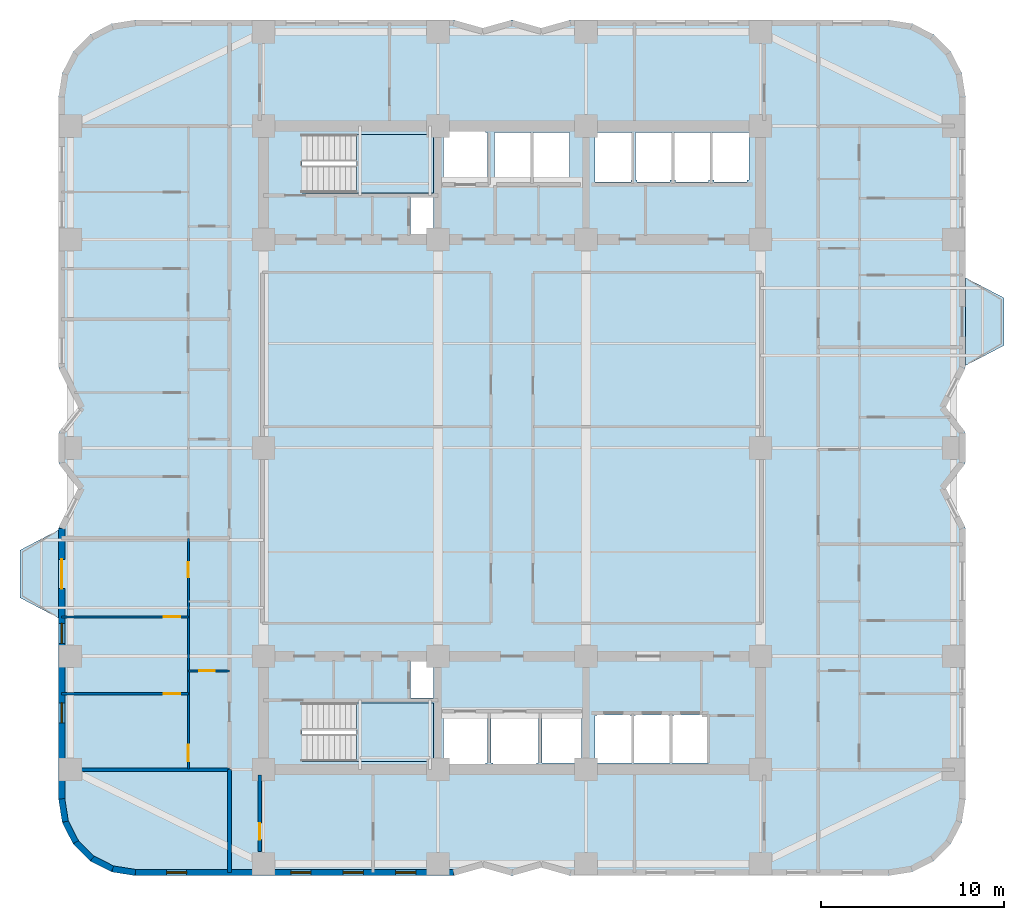
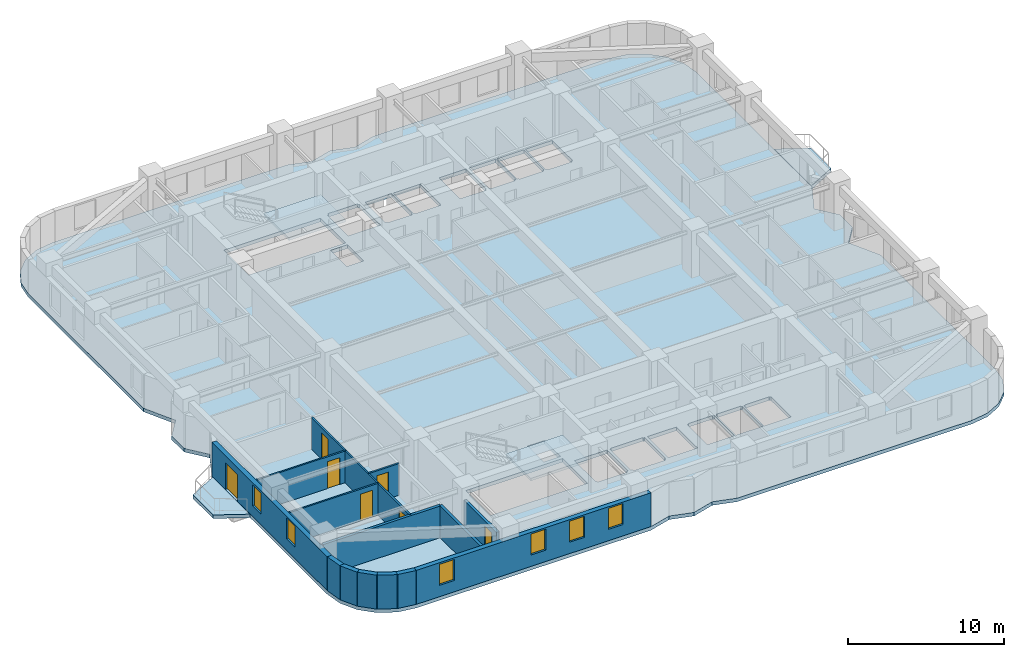
# One storey, part 2 of 10: 14 walls, 7 doors, 6 windows, 5 slabs, 13 openings, 2 elements without a shape of their own.
"""IFC4 building model written with IfcOpenShell, lengths in metres."""

from ifc_helpers import new_model, si_unit, direction, frame, frame_2d, origin, place, context, subcontext, project, spatial, polyline, rectangle, outline, extrude, material, layer, layer_set, type_object, element, fill, aggregate, save


model = new_model("IFC4")

# Units and contexts
model_context = context("Model", 3, precision=1e-05, world=origin(), true_north=direction((0.0, 1.0)))
body_context = subcontext(model_context, "Body", "Model", "MODEL_VIEW")
ifc_project = project(units=[si_unit("LENGTHUNIT", "METRE"), si_unit("AREAUNIT", "SQUARE_METRE"), si_unit("VOLUMEUNIT", "CUBIC_METRE"), si_unit("PLANEANGLEUNIT", "RADIAN"), si_unit("MASSUNIT", "GRAM", prefix="KILO")], contexts=[model_context])

# Site, building, storey
site_placement = place(None, origin())
site = spatial("IfcSite", under=ifc_project, at=site_placement, CompositionType="ELEMENT")
building_placement = place(site_placement, origin())
building = spatial("IfcBuilding", under=site, at=building_placement, Name="Svetorya Sky Lyceum", CompositionType="ELEMENT")
storey_placement = place(building_placement, frame((0.0, 0.0, 73.199951171875)))
storey = spatial("IfcBuildingStorey", under=building, at=storey_placement, Name="L18", CompositionType="ELEMENT", Elevation=73.199951171875)

# Slabs
ifc_material_1 = material(Name="Concrete C40/50", Category="concrete")
ifc_layer_1 = layer(ifc_material_1, 0.280029296875)
ifc_layer_set_1 = layer_set([ifc_layer_1], Name="Concrete C40/50")
slab_type_1 = type_object("IfcSlabType", Name="SL-BAL-280", PredefinedType="FLOOR", material=ifc_layer_set_1)
slab_1_placement = place(storey_placement, frame((0.0, 0.0, -0.280029296875)))
element("IfcSlab", 1, at=slab_1_placement, inside=storey, type_object=slab_type_1, Name="L18 Chamfered Loggia Balcony BAL-W1", PredefinedType="FLOOR", context=body_context, shape_type="SweptSolid", body=[
    extrude(outline(polyline([(14.389892578125, 18.89990234375), (14.389892578125, 23.699951171875), (12.2900390625, 22.60009765625), (12.2900390625, 20.0), (14.389892578125, 18.89990234375)])), origin(), (0.0, 0.0, 1.0), 0.280029296875),
])
slab_2_placement = place(storey_placement, frame((0.0, 0.0, -0.280029296875)))
element("IfcSlab", 2, at=slab_2_placement, inside=storey, type_object=slab_type_1, Name="L18 Chamfered Loggia Balcony BAL-E1", PredefinedType="FLOOR", context=body_context, shape_type="SweptSolid", body=[
    extrude(outline(polyline([(64.010009765625, 32.699951171875), (66.110107421875, 33.800048828125), (66.110107421875, 36.39990234375), (64.010009765625, 37.5), (64.010009765625, 32.699951171875)])), origin(), (0.0, 0.0, 1.0), 0.280029296875),
])

# Stair, slab
stair_type_1 = type_object("IfcStairType", Name="STR-ST-S", PredefinedType="HALF_TURN_STAIR", material=ifc_material_1)
stair_1_placement = place(storey_placement, origin())
stair_1 = element("IfcStair", 3, at=stair_1_placement, inside=storey, type_object=stair_type_1, Name="L18 South Core Smoke-Free Exit Stair N2", PredefinedType="HALF_TURN_STAIR")
ifc_layer_2 = layer(ifc_material_1, 0.199951171875)
ifc_layer_set_2 = layer_set([ifc_layer_2], Name="Concrete C40/50")
slab_type_2 = type_object("IfcSlabType", Name="SL-STR-LAND-200", PredefinedType="LANDING", material=ifc_layer_set_2)
slab_3_placement = place(storey_placement, frame((0.0, 0.0, 1.650146484375)))
slab_3 = element("IfcSlab", 4, at=slab_3_placement, type_object=slab_type_2, Name="ST-S landing 1", PredefinedType="LANDING", context=body_context, shape_type="SweptSolid", body=[
    extrude(outline(polyline([(30.699951171875, 11.050048828125), (34.89990234375, 11.050048828125), (34.89990234375, 14.25), (30.699951171875, 14.25), (30.699951171875, 11.050048828125)])), origin(), (0.0, 0.0, 1.0), 0.199951171875),
])
aggregate(stair_1, [slab_3])

stair_type_2 = type_object("IfcStairType", Name="STR-ST-N", PredefinedType="HALF_TURN_STAIR", material=ifc_material_1)
stair_2_placement = place(storey_placement, origin())
stair_2 = element("IfcStair", 5, at=stair_2_placement, inside=storey, type_object=stair_type_2, Name="L18 North Core Smoke-Free Exit Stair N3", PredefinedType="HALF_TURN_STAIR")
slab_4_placement = place(storey_placement, frame((0.0, 0.0, 1.650146484375)))
slab_4 = element("IfcSlab", 6, at=slab_4_placement, type_object=slab_type_2, Name="ST-N landing 1", PredefinedType="LANDING", context=body_context, shape_type="SweptSolid", body=[
    extrude(outline(polyline([(30.699951171875, 42.14990234375), (34.89990234375, 42.14990234375), (34.89990234375, 45.35009765625), (30.699951171875, 45.35009765625), (30.699951171875, 42.14990234375)])), origin(), (0.0, 0.0, 1.0), 0.199951171875),
])
aggregate(stair_2, [slab_4])

# Slab
ifc_material_2 = material(Name="Concrete C50/60", Category="concrete")
ifc_layer_3 = layer(ifc_material_2, 0.280029296875)
ifc_layer_set_3 = layer_set([ifc_layer_3], Name="Concrete C50/60")
slab_type_3 = type_object("IfcSlabType", Name="SL-TWR-280", PredefinedType="FLOOR", material=ifc_layer_set_3)
slab_5_placement = place(storey_placement, frame((0.0, 0.0, -0.280029296875)))
element("IfcSlab", 7, at=slab_5_placement, inside=storey, type_object=slab_type_3, Name="L18 Structural Floor Slab", PredefinedType="FLOOR", context=body_context, shape_type="SweptSolid", body=[
    extrude(outline(polyline([(14.39990234375, 9.0), (14.605712890625, 7.7021484375), (15.2021484375, 6.53125), (16.13134765625, 5.60205078125), (17.302001953125, 5.005615234375), (18.60009765625, 4.800048828125), (36.0, 4.800048828125), (37.60009765625, 5.25), (39.199951171875, 4.800048828125), (40.800048828125, 5.25), (42.39990234375, 4.800048828125), (59.800048828125, 4.800048828125), (61.097900390625, 5.005615234375), (62.268798828125, 5.60205078125), (63.197998046875, 6.53125), (63.79443359375, 7.7021484375), (64.0, 9.0), (64.0, 23.800048828125), (62.89990234375, 26.0), (64.0, 27.39990234375), (64.0, 29.0), (62.89990234375, 30.39990234375), (64.0, 32.60009765625), (64.0, 47.39990234375), (63.79443359375, 48.697998046875), (63.197998046875, 49.86865234375), (62.268798828125, 50.7978515625), (61.097900390625, 51.394287109375), (59.800048828125, 51.60009765625), (42.39990234375, 51.60009765625), (40.800048828125, 51.14990234375), (39.199951171875, 51.60009765625), (37.60009765625, 51.14990234375), (36.0, 51.60009765625), (18.60009765625, 51.60009765625), (17.302001953125, 51.394287109375), (16.13134765625, 50.7978515625), (15.2021484375, 49.86865234375), (14.605712890625, 48.697998046875), (14.39990234375, 47.39990234375), (14.39990234375, 32.60009765625), (15.5, 30.39990234375), (14.39990234375, 29.0), (14.39990234375, 27.39990234375), (15.5, 26.0), (14.39990234375, 23.800048828125), (14.39990234375, 9.0)]), holes=[polyline([(35.550048828125, 13.64990234375), (37.75, 13.64990234375), (37.85009765625, 13.64990234375), (37.85009765625, 10.949951171875), (37.75, 10.949951171875), (37.75, 10.85009765625), (35.550048828125, 10.85009765625), (35.550048828125, 10.949951171875), (35.449951171875, 10.949951171875), (35.449951171875, 13.64990234375), (35.550048828125, 13.64990234375)]), polyline([(40.64990234375, 10.949951171875), (40.550048828125, 10.949951171875), (40.550048828125, 10.800048828125), (38.14990234375, 10.800048828125), (38.14990234375, 10.949951171875), (38.050048828125, 10.949951171875), (38.050048828125, 13.64990234375), (38.14990234375, 13.64990234375), (38.14990234375, 13.699951171875), (40.550048828125, 13.699951171875), (40.550048828125, 13.64990234375), (40.64990234375, 13.64990234375), (40.64990234375, 10.949951171875)]), polyline([(40.85009765625, 13.64990234375), (43.0, 13.64990234375), (43.0, 10.949951171875), (40.85009765625, 10.949951171875), (40.85009765625, 13.64990234375)]), polyline([(27.719970703125, 14.25), (34.89990234375, 14.25), (34.89990234375, 11.050048828125), (27.719970703125, 11.050048828125), (27.719970703125, 14.25)]), polyline([(33.64990234375, 16.580078125), (34.89990234375, 16.580078125), (34.89990234375, 14.52001953125), (33.64990234375, 14.52001953125), (33.64990234375, 16.580078125)]), polyline([(33.64990234375, 39.820068359375), (33.64990234375, 41.89990234375), (34.89990234375, 41.89990234375), (34.89990234375, 39.820068359375), (33.64990234375, 39.820068359375)]), polyline([(27.719970703125, 45.35009765625), (34.89990234375, 45.35009765625), (34.89990234375, 42.14990234375), (27.719970703125, 42.14990234375), (27.719970703125, 45.35009765625)]), polyline([(35.550048828125, 42.75), (35.449951171875, 42.75), (35.449951171875, 45.449951171875), (35.550048828125, 45.449951171875), (35.550048828125, 45.550048828125), (37.75, 45.550048828125), (37.75, 45.449951171875), (37.85009765625, 45.449951171875), (37.85009765625, 42.75), (37.75, 42.75), (35.550048828125, 42.75)]), polyline([(40.199951171875, 42.85009765625), (40.199951171875, 42.75), (38.39990234375, 42.75), (38.39990234375, 42.85009765625), (38.25, 42.85009765625), (38.25, 45.449951171875), (38.39990234375, 45.449951171875), (40.199951171875, 45.449951171875), (40.25, 45.449951171875), (40.25, 42.85009765625), (40.199951171875, 42.85009765625)]), polyline([(40.39990234375, 42.85009765625), (40.35009765625, 42.85009765625), (40.35009765625, 45.449951171875), (40.39990234375, 45.449951171875), (42.300048828125, 45.449951171875), (42.35009765625, 45.449951171875), (42.35009765625, 42.85009765625), (42.300048828125, 42.85009765625), (42.300048828125, 42.75), (40.39990234375, 42.75), (40.39990234375, 42.85009765625)]), polyline([(43.85009765625, 10.949951171875), (43.75, 10.949951171875), (43.75, 13.550048828125), (43.85009765625, 13.550048828125), (43.85009765625, 13.60009765625), (45.64990234375, 13.60009765625), (45.64990234375, 13.550048828125), (45.75, 13.550048828125), (45.75, 10.949951171875), (45.64990234375, 10.949951171875), (43.85009765625, 10.949951171875)]), polyline([(45.949951171875, 10.949951171875), (45.85009765625, 10.949951171875), (45.85009765625, 13.550048828125), (45.949951171875, 13.550048828125), (45.949951171875, 13.60009765625), (47.75, 13.60009765625), (47.75, 13.550048828125), (47.85009765625, 13.550048828125), (47.85009765625, 10.949951171875), (47.75, 10.949951171875), (45.949951171875, 10.949951171875)]), polyline([(49.85009765625, 13.550048828125), (49.949951171875, 13.550048828125), (49.949951171875, 10.949951171875), (49.85009765625, 10.949951171875), (48.050048828125, 10.949951171875), (47.949951171875, 10.949951171875), (47.949951171875, 13.550048828125), (48.050048828125, 13.550048828125), (48.050048828125, 13.60009765625), (49.85009765625, 13.60009765625), (49.85009765625, 13.550048828125)]), polyline([(43.75, 42.85009765625), (43.75, 45.449951171875), (45.699951171875, 45.449951171875), (45.75, 45.449951171875), (45.75, 42.85009765625), (45.699951171875, 42.85009765625), (45.699951171875, 42.75), (43.75, 42.75), (43.75, 42.85009765625)]), polyline([(46.050048828125, 42.85009765625), (45.949951171875, 42.85009765625), (45.949951171875, 45.449951171875), (46.050048828125, 45.449951171875), (47.85009765625, 45.449951171875), (47.949951171875, 45.449951171875), (47.949951171875, 42.85009765625), (47.85009765625, 42.85009765625), (47.85009765625, 42.75), (46.050048828125, 42.75), (46.050048828125, 42.85009765625)]), polyline([(48.14990234375, 42.85009765625), (48.050048828125, 42.85009765625), (48.050048828125, 45.449951171875), (48.14990234375, 45.449951171875), (49.949951171875, 45.449951171875), (50.050048828125, 45.449951171875), (50.050048828125, 42.85009765625), (49.949951171875, 42.85009765625), (49.949951171875, 42.75), (48.14990234375, 42.75), (48.14990234375, 42.85009765625)]), polyline([(50.25, 42.85009765625), (50.14990234375, 42.85009765625), (50.14990234375, 45.449951171875), (50.25, 45.449951171875), (52.050048828125, 45.449951171875), (52.14990234375, 45.449951171875), (52.14990234375, 42.85009765625), (52.050048828125, 42.85009765625), (52.050048828125, 42.75), (50.25, 42.75), (50.25, 42.85009765625)])]), origin(), (0.0, 0.0, 1.0), 0.280029296875),
])

# Walls
ifc_material_3 = material(Name="Putilovo limestone rainscreen on autoclaved cellular masonry", Category="masonry")
ifc_layer_4 = layer(ifc_material_3, 0.340087890625)
ifc_layer_set_4 = layer_set([ifc_layer_4], Name="Putilovo limestone rainscreen on autoclaved cellular masonry")
wall_type_1 = type_object("IfcWallType", Name="WL-EXT-340", PredefinedType="SOLIDWALL", material=ifc_layer_set_4)
wall_1_placement = place(storey_placement, frame((14.570068359375, 9.0, 0.0), z_axis=(0.0, 0.0, 1.0), x_axis=(0.156260864002, -0.98771582066, 0.0)))
element("IfcWall", 8, at=wall_1_placement, inside=storey, type_object=wall_type_1, Name="L18 Limestone Exterior Wall 1M", PredefinedType="SOLIDWALL", context=body_context, shape_type="SweptSolid", body=[
    extrude(rectangle(XDim=1.2607421875, YDim=0.340087890625, at=frame_2d((0.63037109375, 0.0))), origin(), (0.0, 0.0, 1.0), 2.66015625),
])
wall_2_placement = place(storey_placement, frame((14.76708984375, 7.754638671875, 0.0), z_axis=(0.0, 0.0, 1.0), x_axis=(0.454015689056, -0.890993689142, 0.0)))
element("IfcWall", 9, at=wall_2_placement, inside=storey, type_object=wall_type_1, Name="L18 Limestone Exterior Wall 2M", PredefinedType="SOLIDWALL", context=body_context, shape_type="SweptSolid", body=[
    extrude(rectangle(XDim=1.260986328125, YDim=0.340087890625, at=frame_2d((0.63037109375, 0.0))), origin(), (0.0, 0.0, 1.0), 2.66015625),
])
wall_3_placement = place(storey_placement, frame((15.339599609375, 6.631103515625, 0.0), z_axis=(0.0, 0.0, 1.0), x_axis=(0.707203598708, -0.707009950407, 0.0)))
element("IfcWall", 10, at=wall_3_placement, inside=storey, type_object=wall_type_1, Name="L18 Limestone Exterior Wall 3M", PredefinedType="SOLIDWALL", context=body_context, shape_type="SweptSolid", body=[
    extrude(rectangle(XDim=1.2607421875, YDim=0.340087890625, at=frame_2d((0.63037109375, 0.0))), origin(), (0.0, 0.0, 1.0), 2.66015625),
])
for number, where, z_axis, x_axis, name in (
    (11, (16.231201171875, 5.73974609375, 0.0), (0.0, 0.0, 1.0), (0.890993689142, -0.454015689056, 0.0), "L18 Limestone Exterior Wall 4M"),
    (12, (17.354736328125, 5.167236328125, 0.0), (0.0, 0.0, 1.0), (0.987685918112, -0.15644975923, 0.0), "L18 Limestone Exterior Wall 5M"),
):
    element("IfcWall", number, at=place(storey_placement, frame(where, z_axis=z_axis, x_axis=x_axis)), inside=storey, type_object=wall_type_1, Name=name, PredefinedType="SOLIDWALL", context=body_context, shape_type="SweptSolid", body=[
        extrude(rectangle(XDim=1.260986328125, YDim=0.340087890625, at=frame_2d((0.63037109375, 0.0))), origin(), (0.0, 0.0, 1.0), 2.66015625),
    ])

# Wall, openings, windows
wall_4_placement = place(storey_placement, frame((18.60009765625, 4.969970703125, 0.0), z_axis=(0.0, 0.0, 1.0), x_axis=(1.0, 0.0, 0.0)))
wall_4 = element("IfcWall", 13, at=wall_4_placement, inside=storey, type_object=wall_type_1, Name="L18 Limestone Exterior Wall 6M", PredefinedType="SOLIDWALL", context=body_context, shape_type="SweptSolid", body=[
    extrude(rectangle(XDim=17.39990234375, YDim=0.340087890625, at=frame_2d((8.699951171875, 0.0))), origin(), (0.0, 0.0, 1.0), 2.66015625),
])
opening_1_placement = place(wall_4_placement, frame((1.7099609375, 0.0, 0.889892578125)))
opening_1 = element("IfcOpeningElement", 14, at=opening_1_placement, cuts=wall_4, Name="Opening W-R3", PredefinedType="OPENING", context=body_context, shape_type="SweptSolid", body=[
    extrude(rectangle(XDim=1.10009765625, YDim=1.64990234375, at=frame_2d((0.550048828125, 0.824951171875))), frame((0.0, 0.179931640625, 0.0), z_axis=(0.0, -1.0, 0.0), x_axis=(1.0, 0.0, 0.0)), (0.0, 0.0, 1.0), 0.360107421875),
])
opening_2_placement = place(wall_4_placement, frame((8.5, 0.0, 0.889892578125)))
opening_2 = element("IfcOpeningElement", 15, at=opening_2_placement, cuts=wall_4, Name="Opening W-R3", PredefinedType="OPENING", context=body_context, shape_type="SweptSolid", body=[
    extrude(rectangle(XDim=1.10009765625, YDim=1.64990234375, at=frame_2d((0.550048828125, 0.824951171875))), frame((0.0, 0.179931640625, 0.0), z_axis=(0.0, -1.0, 0.0), x_axis=(1.0, 0.0, 0.0)), (0.0, 0.0, 1.0), 0.360107421875),
])
opening_3_placement = place(wall_4_placement, frame((11.3701171875, 0.0, 0.889892578125)))
opening_3 = element("IfcOpeningElement", 16, at=opening_3_placement, cuts=wall_4, Name="Opening W-R3", PredefinedType="OPENING", context=body_context, shape_type="SweptSolid", body=[
    extrude(rectangle(XDim=1.10009765625, YDim=1.64990234375, at=frame_2d((0.550048828125, 0.824951171875))), frame((0.0, 0.179931640625, 0.0), z_axis=(0.0, -1.0, 0.0), x_axis=(1.0, 0.0, 0.0)), (0.0, 0.0, 1.0), 0.360107421875),
])
opening_4_placement = place(wall_4_placement, frame((14.239990234375, 0.0, 0.889892578125)))
opening_4 = element("IfcOpeningElement", 17, at=opening_4_placement, cuts=wall_4, Name="Opening W-R3", PredefinedType="OPENING", context=body_context, shape_type="SweptSolid", body=[
    extrude(rectangle(XDim=1.10009765625, YDim=1.64990234375, at=frame_2d((0.550048828125, 0.824951171875))), frame((0.0, 0.179931640625, 0.0), z_axis=(0.0, -1.0, 0.0), x_axis=(1.0, 0.0, 0.0)), (0.0, 0.0, 1.0), 0.360107421875),
])
ifc_material_4 = material(Name="Thermally broken aluminium frame with triple low-E glazing", Category="aluminium")
window_type = type_object("IfcWindowType", Name="WN-RES-110", PartitioningType="SINGLE_PANEL", PredefinedType="WINDOW", material=ifc_material_4)
window_1_placement = place(opening_1_placement, origin())
window_1 = element("IfcWindow", 18, at=window_1_placement, inside=storey, type_object=window_type, Name="L18 Facade Window W-R3.6M.1", OverallHeight=1.64990234375, OverallWidth=1.10009765625, PartitioningType="SINGLE_PANEL", PredefinedType="WINDOW", context=body_context, shape_type="SweptSolid", body=[
    extrude(rectangle(XDim=1.10009765625, YDim=1.64990234375, at=frame_2d((0.550048828125, 0.824951171875))), frame((0.0, 0.030029296875, 0.0), z_axis=(0.0, -1.0, 0.0), x_axis=(1.0, 0.0, 0.0)), (0.0, 0.0, 1.0), 0.06005859375),
])
fill(opening_1, window_1)
window_2_placement = place(opening_2_placement, origin())
window_2 = element("IfcWindow", 19, at=window_2_placement, inside=storey, type_object=window_type, Name="L18 Facade Window W-R3.6M.2", OverallHeight=1.64990234375, OverallWidth=1.10009765625, PartitioningType="SINGLE_PANEL", PredefinedType="WINDOW", context=body_context, shape_type="SweptSolid", body=[
    extrude(rectangle(XDim=1.10009765625, YDim=1.64990234375, at=frame_2d((0.550048828125, 0.824951171875))), frame((0.0, 0.030029296875, 0.0), z_axis=(0.0, -1.0, 0.0), x_axis=(1.0, 0.0, 0.0)), (0.0, 0.0, 1.0), 0.06005859375),
])
fill(opening_2, window_2)
window_3_placement = place(opening_3_placement, origin())
window_3 = element("IfcWindow", 20, at=window_3_placement, inside=storey, type_object=window_type, Name="L18 Facade Window W-R3.6M.3", OverallHeight=1.64990234375, OverallWidth=1.10009765625, PartitioningType="SINGLE_PANEL", PredefinedType="WINDOW", context=body_context, shape_type="SweptSolid", body=[
    extrude(rectangle(XDim=1.10009765625, YDim=1.64990234375, at=frame_2d((0.550048828125, 0.824951171875))), frame((0.0, 0.030029296875, 0.0), z_axis=(0.0, -1.0, 0.0), x_axis=(1.0, 0.0, 0.0)), (0.0, 0.0, 1.0), 0.06005859375),
])
fill(opening_3, window_3)
window_4_placement = place(opening_4_placement, origin())
window_4 = element("IfcWindow", 21, at=window_4_placement, inside=storey, type_object=window_type, Name="L18 Facade Window W-R3.6M.4", OverallHeight=1.64990234375, OverallWidth=1.10009765625, PartitioningType="SINGLE_PANEL", PredefinedType="WINDOW", context=body_context, shape_type="SweptSolid", body=[
    extrude(rectangle(XDim=1.10009765625, YDim=1.64990234375, at=frame_2d((0.550048828125, 0.824951171875))), frame((0.0, 0.030029296875, 0.0), z_axis=(0.0, -1.0, 0.0), x_axis=(1.0, 0.0, 0.0)), (0.0, 0.0, 1.0), 0.06005859375),
])
fill(opening_4, window_4)

# Wall, openings, door, windows
wall_5_placement = place(storey_placement, frame((14.570068359375, 23.800048828125, 0.0), z_axis=(0.0, 0.0, 1.0), x_axis=(0.0, -1.0, 0.0)))
wall_5 = element("IfcWall", 22, at=wall_5_placement, inside=storey, type_object=wall_type_1, Name="L18 Limestone Exterior Wall 46M", PredefinedType="SOLIDWALL", context=body_context, shape_type="SweptSolid", body=[
    extrude(rectangle(XDim=14.800048828125, YDim=0.340087890625, at=frame_2d((7.39990234375, 0.0))), origin(), (0.0, 0.0, 1.0), 2.66015625),
])
opening_5_placement = place(wall_5_placement, frame((1.699951171875, 0.0, 0.0)))
opening_5 = element("IfcOpeningElement", 23, at=opening_5_placement, cuts=wall_5, Name="Opening D-BL1", PredefinedType="OPENING", context=body_context, shape_type="SweptSolid", body=[
    extrude(rectangle(XDim=1.60009765625, YDim=2.10009765625, at=frame_2d((0.800048828125, 1.050048828125))), frame((0.0, 0.179931640625, 0.0), z_axis=(0.0, -1.0, 0.0), x_axis=(1.0, 0.0, 0.0)), (0.0, 0.0, 1.0), 0.360107421875),
])
opening_6_placement = place(wall_5_placement, frame((5.199951171875, 0.0, 0.85009765625)))
opening_6 = element("IfcOpeningElement", 24, at=opening_6_placement, cuts=wall_5, Name="Opening W-R3", PredefinedType="OPENING", context=body_context, shape_type="SweptSolid", body=[
    extrude(rectangle(XDim=1.10009765625, YDim=1.64990234375, at=frame_2d((0.550048828125, 0.824951171875))), frame((0.0, 0.179931640625, 0.0), z_axis=(0.0, -1.0, 0.0), x_axis=(1.0, 0.0, 0.0)), (0.0, 0.0, 1.0), 0.360107421875),
])
opening_7_placement = place(wall_5_placement, frame((9.550048828125, 0.0, 0.889892578125)))
opening_7 = element("IfcOpeningElement", 25, at=opening_7_placement, cuts=wall_5, Name="Opening W-R3", PredefinedType="OPENING", context=body_context, shape_type="SweptSolid", body=[
    extrude(rectangle(XDim=1.10009765625, YDim=1.64990234375, at=frame_2d((0.550048828125, 0.824951171875))), frame((0.0, 0.179931640625, 0.0), z_axis=(0.0, -1.0, 0.0), x_axis=(1.0, 0.0, 0.0)), (0.0, 0.0, 1.0), 0.360107421875),
])
ifc_material_5 = material(Name="Insulated glazed aluminium balcony door", Category="aluminium")
door_type_1 = type_object("IfcDoorType", Name="DR-BAL-1600", OperationType="DOUBLE_DOOR_SINGLE_SWING", PredefinedType="DOOR", material=ifc_material_5)
door_1_placement = place(opening_5_placement, origin())
door_1 = element("IfcDoor", 26, at=door_1_placement, inside=storey, type_object=door_type_1, Name="L18 Balcony BAL-W1 Door", OperationType="DOUBLE_DOOR_SINGLE_SWING", OverallHeight=2.10009765625, OverallWidth=1.60009765625, PredefinedType="DOOR", context=body_context, shape_type="SweptSolid", body=[
    extrude(rectangle(XDim=1.60009765625, YDim=2.10009765625, at=frame_2d((0.800048828125, 1.050048828125))), frame((0.0, 0.02490234375, 0.0), z_axis=(0.0, -1.0, 0.0), x_axis=(1.0, 0.0, 0.0)), (0.0, 0.0, 1.0), 0.050048828125),
])
fill(opening_5, door_1)
window_5_placement = place(opening_6_placement, origin())
window_5 = element("IfcWindow", 27, at=window_5_placement, inside=storey, type_object=window_type, Name="L18 Facade Window W-R3.46M.2", OverallHeight=1.64990234375, OverallWidth=1.10009765625, PartitioningType="SINGLE_PANEL", PredefinedType="WINDOW", context=body_context, shape_type="SweptSolid", body=[
    extrude(rectangle(XDim=1.10009765625, YDim=1.64990234375, at=frame_2d((0.550048828125, 0.824951171875))), frame((0.0, 0.030029296875, 0.0), z_axis=(0.0, -1.0, 0.0), x_axis=(1.0, 0.0, 0.0)), (0.0, 0.0, 1.0), 0.06005859375),
])
fill(opening_6, window_5)
window_6_placement = place(opening_7_placement, origin())
window_6 = element("IfcWindow", 28, at=window_6_placement, inside=storey, type_object=window_type, Name="L18 Facade Window W-R3.46M.1", OverallHeight=1.64990234375, OverallWidth=1.10009765625, PartitioningType="SINGLE_PANEL", PredefinedType="WINDOW", context=body_context, shape_type="SweptSolid", body=[
    extrude(rectangle(XDim=1.10009765625, YDim=1.64990234375, at=frame_2d((0.550048828125, 0.824951171875))), frame((0.0, 0.030029296875, 0.0), z_axis=(0.0, -1.0, 0.0), x_axis=(1.0, 0.0, 0.0)), (0.0, 0.0, 1.0), 0.06005859375),
])
fill(opening_7, window_6)

# Wall, opening, door
ifc_material_6 = material(Name="Twin-stud galvanized framing with double fireboard", Category="gypsum")
ifc_layer_5 = layer(ifc_material_6, 0.1201171875)
ifc_layer_set_5 = layer_set([ifc_layer_5], Name="Twin-stud galvanized framing with double fireboard")
wall_type_2 = type_object("IfcWallType", Name="WL-PART-120", PredefinedType="PARTITIONING", material=ifc_layer_set_5)
wall_6_placement = place(storey_placement, frame((21.5, 16.0, 0.0), z_axis=(0.0, 0.0, 1.0), x_axis=(1.0, 0.0, 0.0)))
wall_6 = element("IfcWall", 29, at=wall_6_placement, inside=storey, type_object=wall_type_2, Name="L18 Interior Partition W1-WH1", PredefinedType="PARTITIONING", context=body_context, shape_type="SweptSolid", body=[
    extrude(rectangle(XDim=2.25, YDim=0.1201171875, at=frame_2d((1.125, 0.0))), origin(), (0.0, 0.0, 1.0), 2.489990234375),
])
opening_8_placement = place(wall_6_placement, frame((0.60009765625, 0.0, 0.0)))
opening_8 = element("IfcOpeningElement", 30, at=opening_8_placement, cuts=wall_6, Name="Opening D-BT1", PredefinedType="OPENING", context=body_context, shape_type="SweptSolid", body=[
    extrude(rectangle(XDim=0.85009765625, YDim=2.10009765625, at=frame_2d((0.425048828125, 1.050048828125))), frame((0.0, 0.070068359375, 0.0), z_axis=(0.0, -1.0, 0.0), x_axis=(1.0, 0.0, 0.0)), (0.0, 0.0, 1.0), 0.14013671875),
])
ifc_material_7 = material(Name="Moisture-resistant laminate bathroom door")
door_type_2 = type_object("IfcDoorType", Name="DR-WET-850", OperationType="SINGLE_SWING_LEFT", PredefinedType="DOOR", material=ifc_material_7)
door_2_placement = place(opening_8_placement, origin())
door_2 = element("IfcDoor", 31, at=door_2_placement, inside=storey, type_object=door_type_2, Name="Apartment W1 Bathroom Door", OperationType="SINGLE_SWING_LEFT", OverallHeight=2.10009765625, OverallWidth=0.85009765625, PredefinedType="DOOR", context=body_context, shape_type="SweptSolid", body=[
    extrude(rectangle(XDim=0.85009765625, YDim=2.10009765625, at=frame_2d((0.425048828125, 1.050048828125))), frame((0.0, 0.02490234375, 0.0), z_axis=(0.0, -1.0, 0.0), x_axis=(1.0, 0.0, 0.0)), (0.0, 0.0, 1.0), 0.050048828125),
])
fill(opening_8, door_2)

wall_7_placement = place(storey_placement, frame((14.570068359375, 14.75, 0.0), z_axis=(0.0, 0.0, 1.0), x_axis=(1.0, 0.0, 0.0)))
wall_7 = element("IfcWall", 32, at=wall_7_placement, inside=storey, type_object=wall_type_2, Name="L18 Interior Partition W1-WL1", PredefinedType="PARTITIONING", context=body_context, shape_type="SweptSolid", body=[
    extrude(rectangle(XDim=6.929931640625, YDim=0.1201171875, at=frame_2d((3.46484375, 0.0))), origin(), (0.0, 0.0, 1.0), 2.489990234375),
])
opening_9_placement = place(wall_7_placement, frame((5.580078125, 0.0, 0.0)))
opening_9 = element("IfcOpeningElement", 33, at=opening_9_placement, cuts=wall_7, Name="Opening D-RM1", PredefinedType="OPENING", context=body_context, shape_type="SweptSolid", body=[
    extrude(rectangle(XDim=0.89990234375, YDim=2.10009765625, at=frame_2d((0.449951171875, 1.050048828125))), frame((0.0, 0.070068359375, 0.0), z_axis=(0.0, -1.0, 0.0), x_axis=(1.0, 0.0, 0.0)), (0.0, 0.0, 1.0), 0.14013671875),
])
ifc_material_8 = material(Name="Lacquered birch veneer internal door")
door_type_3 = type_object("IfcDoorType", Name="DR-INT-900", OperationType="SINGLE_SWING_LEFT", PredefinedType="DOOR", material=ifc_material_8)
door_3_placement = place(opening_9_placement, origin())
door_3 = element("IfcDoor", 34, at=door_3_placement, inside=storey, type_object=door_type_3, Name="Apartment W1 Master Bedroom Door", OperationType="SINGLE_SWING_LEFT", OverallHeight=2.10009765625, OverallWidth=0.89990234375, PredefinedType="DOOR", context=body_context, shape_type="SweptSolid", body=[
    extrude(rectangle(XDim=0.89990234375, YDim=2.10009765625, at=frame_2d((0.449951171875, 1.050048828125))), frame((0.0, 0.02490234375, 0.0), z_axis=(0.0, -1.0, 0.0), x_axis=(1.0, 0.0, 0.0)), (0.0, 0.0, 1.0), 0.050048828125),
])
fill(opening_9, door_3)

wall_8_placement = place(storey_placement, frame((14.570068359375, 18.949951171875, 0.0), z_axis=(0.0, 0.0, 1.0), x_axis=(1.0, 0.0, 0.0)))
wall_8 = element("IfcWall", 35, at=wall_8_placement, inside=storey, type_object=wall_type_2, Name="L18 Interior Partition W1-WL2", PredefinedType="PARTITIONING", context=body_context, shape_type="SweptSolid", body=[
    extrude(rectangle(XDim=6.929931640625, YDim=0.1201171875, at=frame_2d((3.46484375, 0.0))), origin(), (0.0, 0.0, 1.0), 2.489990234375),
])
opening_10_placement = place(wall_8_placement, frame((5.580078125, 0.0, 0.0)))
opening_10 = element("IfcOpeningElement", 36, at=opening_10_placement, cuts=wall_8, Name="Opening D-RM1", PredefinedType="OPENING", context=body_context, shape_type="SweptSolid", body=[
    extrude(rectangle(XDim=0.89990234375, YDim=2.10009765625, at=frame_2d((0.449951171875, 1.050048828125))), frame((0.0, 0.070068359375, 0.0), z_axis=(0.0, -1.0, 0.0), x_axis=(1.0, 0.0, 0.0)), (0.0, 0.0, 1.0), 0.14013671875),
])
door_4_placement = place(opening_10_placement, origin())
door_4 = element("IfcDoor", 37, at=door_4_placement, inside=storey, type_object=door_type_3, Name="Apartment W1 Bedroom 2 Door", OperationType="SINGLE_SWING_RIGHT", OverallHeight=2.10009765625, OverallWidth=0.89990234375, PredefinedType="DOOR", context=body_context, shape_type="SweptSolid", body=[
    extrude(rectangle(XDim=0.89990234375, YDim=2.10009765625, at=frame_2d((0.449951171875, 1.050048828125))), frame((0.0, 0.02490234375, 0.0), z_axis=(0.0, -1.0, 0.0), x_axis=(1.0, 0.0, 0.0)), (0.0, 0.0, 1.0), 0.050048828125),
])
fill(opening_10, door_4)

# Wall, openings, doors
wall_9_placement = place(storey_placement, frame((21.5, 10.639892578125, 0.0), z_axis=(0.0, 0.0, 1.0), x_axis=(0.0, 1.0, 0.0)))
wall_9 = element("IfcWall", 38, at=wall_9_placement, inside=storey, type_object=wall_type_2, Name="L18 Interior Partition W1-WV", PredefinedType="PARTITIONING", context=body_context, shape_type="SweptSolid", body=[
    extrude(rectangle(XDim=12.592041015625, YDim=0.1201171875, at=frame_2d((6.2958984375, 0.0))), origin(), (0.0, 0.0, 1.0), 2.489990234375),
])
opening_11_placement = place(wall_9_placement, frame((0.409912109375, 0.0, 0.0)))
opening_11 = element("IfcOpeningElement", 39, at=opening_11_placement, cuts=wall_9, Name="Opening D-RM1", PredefinedType="OPENING", context=body_context, shape_type="SweptSolid", body=[
    extrude(rectangle(XDim=0.89990234375, YDim=2.10009765625, at=frame_2d((0.449951171875, 1.050048828125))), frame((0.0, 0.070068359375, 0.0), z_axis=(0.0, -1.0, 0.0), x_axis=(1.0, 0.0, 0.0)), (0.0, 0.0, 1.0), 0.14013671875),
])
opening_12_placement = place(wall_9_placement, frame((10.470947265625, 0.0, 0.0)))
opening_12 = element("IfcOpeningElement", 40, at=opening_12_placement, cuts=wall_9, Name="Opening D-BT2", PredefinedType="OPENING", context=body_context, shape_type="SweptSolid", body=[
    extrude(rectangle(XDim=0.820068359375, YDim=2.080078125, at=frame_2d((0.41015625, 1.0400390625))), frame((0.0, 0.070068359375, 0.0), z_axis=(0.0, -1.0, 0.0), x_axis=(1.0, 0.0, 0.0)), (0.0, 0.0, 1.0), 0.14013671875),
])
door_5_placement = place(opening_11_placement, origin())
door_5 = element("IfcDoor", 41, at=door_5_placement, inside=storey, type_object=door_type_3, Name="Apartment W1 Living Door", OperationType="SINGLE_SWING_RIGHT", OverallHeight=2.10009765625, OverallWidth=0.89990234375, PredefinedType="DOOR", context=body_context, shape_type="SweptSolid", body=[
    extrude(rectangle(XDim=0.89990234375, YDim=2.10009765625, at=frame_2d((0.449951171875, 1.050048828125))), frame((0.0, 0.02490234375, 0.0), z_axis=(0.0, -1.0, 0.0), x_axis=(1.0, 0.0, 0.0)), (0.0, 0.0, 1.0), 0.050048828125),
])
fill(opening_11, door_5)
ifc_material_9 = material(Name="Compact moisture-resistant laminate closet door")
door_type_4 = type_object("IfcDoorType", Name="DR-WET-820", OperationType="SINGLE_SWING_LEFT", PredefinedType="DOOR", material=ifc_material_9)
door_6_placement = place(opening_12_placement, origin())
door_6 = element("IfcDoor", 42, at=door_6_placement, inside=storey, type_object=door_type_4, Name="Apartment W1 Study Door", OperationType="SINGLE_SWING_LEFT", OverallHeight=2.080078125, OverallWidth=0.820068359375, PredefinedType="DOOR", context=body_context, shape_type="SweptSolid", body=[
    extrude(rectangle(XDim=0.820068359375, YDim=2.080078125, at=frame_2d((0.41015625, 1.0400390625))), frame((0.0, 0.02490234375, 0.0), z_axis=(0.0, -1.0, 0.0), x_axis=(1.0, 0.0, 0.0)), (0.0, 0.0, 1.0), 0.050048828125),
])
fill(opening_12, door_6)

# Walls
ifc_material_10 = material(Name="Autoclaved cellular masonry blockwork with gypsum plaster", Category="masonry")
ifc_layer_6 = layer(ifc_material_10, 0.199951171875)
ifc_layer_set_6 = layer_set([ifc_layer_6], Name="Autoclaved cellular masonry blockwork with gypsum plaster")
wall_type_3 = type_object("IfcWallType", Name="WL-PART-200", PredefinedType="PARTITIONING", material=ifc_layer_set_6)
wall_10_placement = place(storey_placement, frame((14.989990234375, 10.60009765625, 0.0), z_axis=(0.0, 0.0, 1.0), x_axis=(1.0, 0.0, 0.0)))
element("IfcWall", 43, at=wall_10_placement, inside=storey, type_object=wall_type_3, Name="L18 Interior Partition W-CAP-S", PredefinedType="PARTITIONING", context=body_context, shape_type="SweptSolid", body=[
    extrude(rectangle(XDim=8.760009765625, YDim=0.199951171875, at=frame_2d((4.3798828125, 0.0))), origin(), (0.0, 0.0, 1.0), 2.489990234375),
])
wall_11_placement = place(storey_placement, frame((23.75, 4.969970703125, 0.0), z_axis=(0.0, 0.0, 1.0), x_axis=(0.0, 1.0, 0.0)))
element("IfcWall", 44, at=wall_11_placement, inside=storey, type_object=wall_type_3, Name="L18 Interior Partition WC-SW-END", PredefinedType="PARTITIONING", context=body_context, shape_type="SweptSolid", body=[
    extrude(rectangle(XDim=5.630126953125, YDim=0.199951171875, at=frame_2d((2.81494140625, 0.0))), origin(), (0.0, 0.0, 1.0), 2.489990234375),
])

# Wall, opening, door
wall_12_placement = place(storey_placement, frame((25.39990234375, 6.1201171875, 0.0), z_axis=(0.0, 0.0, 1.0), x_axis=(0.0, 1.0, 0.0)))
wall_12 = element("IfcWall", 45, at=wall_12_placement, inside=storey, type_object=wall_type_3, Name="L18 Interior Partition S-EW", PredefinedType="PARTITIONING", context=body_context, shape_type="SweptSolid", body=[
    extrude(rectangle(XDim=4.179931640625, YDim=0.199951171875, at=frame_2d((2.08984375, 0.0))), origin(), (0.0, 0.0, 1.0), 2.489990234375),
])
opening_13_placement = place(wall_12_placement, frame((0.64990234375, 0.0, 0.0)))
opening_13 = element("IfcOpeningElement", 46, at=opening_13_placement, cuts=wall_12, Name="Opening D-RM1", PredefinedType="OPENING", context=body_context, shape_type="SweptSolid", body=[
    extrude(rectangle(XDim=0.89990234375, YDim=2.10009765625, at=frame_2d((0.449951171875, 1.050048828125))), frame((0.0, 0.10986328125, 0.0), z_axis=(0.0, -1.0, 0.0), x_axis=(1.0, 0.0, 0.0)), (0.0, 0.0, 1.0), 0.219970703125),
])
door_7_placement = place(opening_13_placement, origin())
door_7 = element("IfcDoor", 47, at=door_7_placement, inside=storey, type_object=door_type_3, Name="L18 South Study Door", OperationType="SINGLE_SWING_LEFT", OverallHeight=2.10009765625, OverallWidth=0.89990234375, PredefinedType="DOOR", context=body_context, shape_type="SweptSolid", body=[
    extrude(rectangle(XDim=0.89990234375, YDim=2.10009765625, at=frame_2d((0.449951171875, 1.050048828125))), frame((0.0, 0.02490234375, 0.0), z_axis=(0.0, -1.0, 0.0), x_axis=(1.0, 0.0, 0.0)), (0.0, 0.0, 1.0), 0.050048828125),
])
fill(opening_13, door_7)

save(model, "model.ifc")
